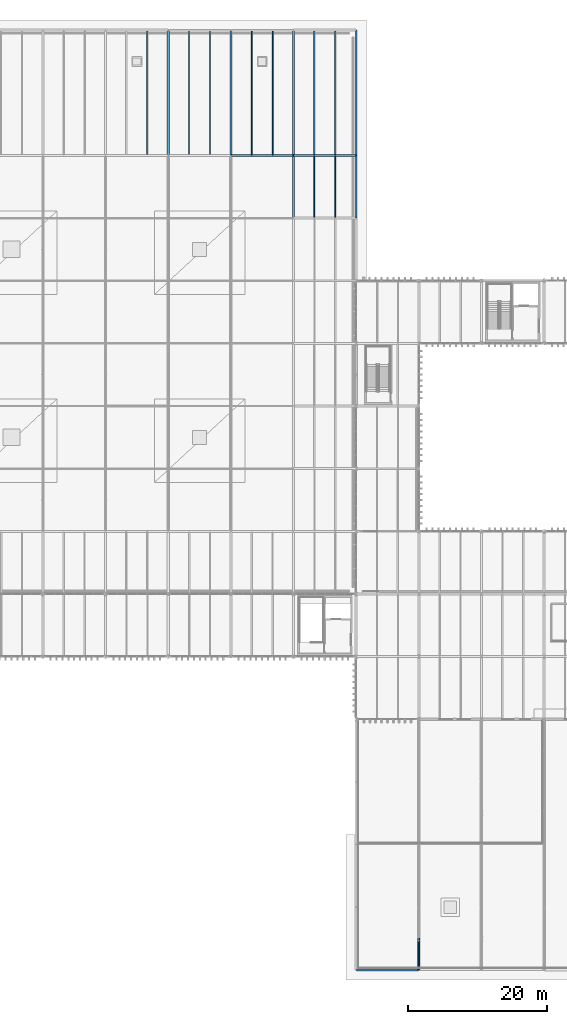
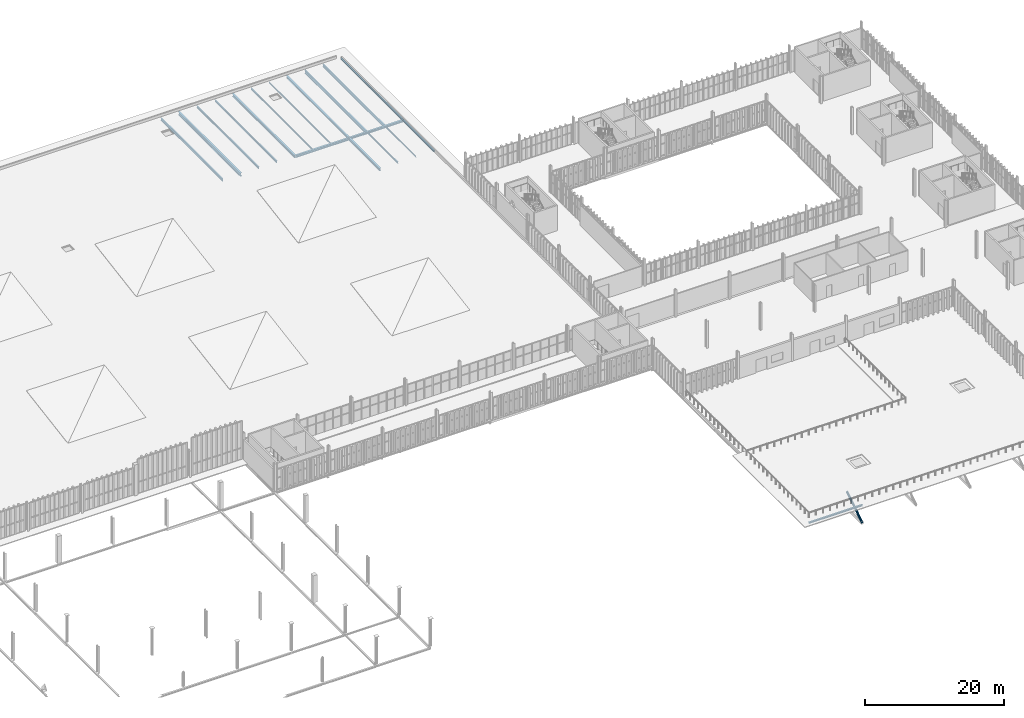
# One storey, part 99 of 196: 18 beams, 1 member.
"""IFC4 building model written with IfcOpenShell, lengths in metres."""

import ifcopenshell
import ifcopenshell.guid

model = None  # the IFC model being written
_history = None  # IfcOwnerHistory: only IFC2X3 demands one
_inside = {}  # id of a spatial element -> (the spatial element, [elements in it])
_under = {}  # id of a project, library or spatial element -> (it, [spatial elements below it])
_declared = {}  # id of a project -> (the project, [libraries it declares])
_typed = {}  # id of a type object -> (the type object, [elements of that type])
_made_of = {}  # id of a material, layer set ... -> (it, [elements and type objects made of it])


def new_model(schema):
    """Start an empty IFC model of exactly this schema.

    Asked for "IFC4X3", IfcOpenShell would pick the latest addendum, in which some entities
    have other attributes; the version numbers below select the first issue.
    IFC2X3 requires an IfcOwnerHistory on every rooted entity: one is made here for all.
    """
    global model, _history
    if schema == "IFC4X3":
        model = ifcopenshell.file(schema_version=(4, 3, 0, 0))
    else:
        model = ifcopenshell.file(schema=schema)
    _inside.clear()
    _under.clear()
    _declared.clear()
    _typed.clear()
    _made_of.clear()
    _history = None
    if model.schema == "IFC2X3":
        org = make("IfcOrganization", Name="unknown")
        user = make(
            "IfcPersonAndOrganization",
            ThePerson=make("IfcPerson", FamilyName="unknown"),
            TheOrganization=org,
        )
        app = make(
            "IfcApplication",
            ApplicationDeveloper=org,
            Version="unknown",
            ApplicationFullName="unknown",
            ApplicationIdentifier="unknown",
        )
        _history = make(
            "IfcOwnerHistory",
            OwningUser=user,
            OwningApplication=app,
            ChangeAction="ADDED",
            CreationDate=0,
        )
    return model


def make(cls, **values):
    """One entity of the class cls with the attributes given. An attribute that is None is left unset."""
    return model.create_entity(
        cls, **{name: value for name, value in values.items() if value is not None}
    )


def rooted(cls, **values):
    """An entity with a GlobalId (a new one), such as an element, a storey or a relation."""
    return make(cls, GlobalId=ifcopenshell.guid.new(), OwnerHistory=_history, **values)


def si_unit(unit_type, name, prefix=None):
    """IfcSIUnit, for example si_unit("LENGTHUNIT", "METRE", prefix="MILLI")."""
    return make("IfcSIUnit", UnitType=unit_type, Prefix=prefix, Name=name)


def assignment(units):
    """IfcUnitAssignment: the units of a project."""
    return None if units is None else make("IfcUnitAssignment", Units=units)


def point(xyz):
    """IfcCartesianPoint."""
    return None if xyz is None else make("IfcCartesianPoint", Coordinates=xyz)


def direction(xyz):
    """IfcDirection."""
    return None if xyz is None else make("IfcDirection", DirectionRatios=xyz)


def frame(location, z_axis=None, x_axis=None):
    """IfcAxis2Placement3D, a coordinate frame: its origin and axes. An axis left out is left unset."""
    return make(
        "IfcAxis2Placement3D",
        Location=point(location),
        Axis=direction(z_axis),
        RefDirection=direction(x_axis),
    )


def frame_2d(location, x_axis=None):
    """IfcAxis2Placement2D, a coordinate frame in the plane: its origin and x axis."""
    return make(
        "IfcAxis2Placement2D", Location=point(location), RefDirection=direction(x_axis)
    )


def origin():
    """The frame at (0, 0, 0) with its axes left unset."""
    return frame((0.0, 0.0, 0.0))


def origin_2d():
    """The frame at (0, 0) in the plane with its x axis left unset."""
    return frame_2d((0.0, 0.0))


def place(relative_to, where):
    """IfcLocalPlacement: puts the frame where relative to a parent placement (None: the world)."""
    return make(
        "IfcLocalPlacement", PlacementRelTo=relative_to, RelativePlacement=where
    )


def context(
    kind, dimensions, precision=None, world=None, true_north=None, identifier=None
):
    """IfcGeometricRepresentationContext, for example the 3D "Model" context."""
    return make(
        "IfcGeometricRepresentationContext",
        ContextIdentifier=identifier,
        ContextType=kind,
        CoordinateSpaceDimension=dimensions,
        Precision=precision,
        WorldCoordinateSystem=world,
        TrueNorth=true_north,
    )


def subcontext(parent, identifier, kind, view, scale=None):
    """IfcGeometricRepresentationSubContext, for example "Body" below "Model"."""
    return make(
        "IfcGeometricRepresentationSubContext",
        ContextIdentifier=identifier,
        ContextType=kind,
        ParentContext=parent,
        TargetScale=scale,
        TargetView=view,
    )


def project(units=None, contexts=None):
    """IfcProject with its units and contexts."""
    return rooted(
        "IfcProject",
        Name="project",
        RepresentationContexts=contexts,
        UnitsInContext=assignment(units),
    )


def spatial(cls, under=None, at=None, **own):
    """A site, building, storey or space (cls), placed at a placement, below another one or the project."""
    s = rooted(cls, ObjectPlacement=at, **own)
    if under is not None:
        _under.setdefault(under.id(), (under, []))[1].append(s)
    return s


def profile(cls, at=None, kind="AREA", **sizes):
    """A parametric profile (cls). Its sizes go by their IFC names, for example OverallWidth=200.0."""
    return make(cls, ProfileType=kind, Position=at, **sizes)


def hollow_circle(**sizes):
    """IfcCircleHollowProfileDef."""
    return profile("IfcCircleHollowProfileDef", **sizes)


def i_section(**sizes):
    """IfcIShapeProfileDef."""
    return profile("IfcIShapeProfileDef", **sizes)


def extrude(swept, where, along, depth):
    """IfcExtrudedAreaSolid: the profile swept, set in the frame where, extruded along a direction by depth."""
    return make(
        "IfcExtrudedAreaSolid",
        SweptArea=swept,
        Position=where,
        ExtrudedDirection=direction(along),
        Depth=depth,
    )


def shape(context_of_items, identifier, shape_type, items):
    """IfcShapeRepresentation: the items that make up one representation, for example the "Body"."""
    return make(
        "IfcShapeRepresentation",
        ContextOfItems=context_of_items,
        RepresentationIdentifier=identifier,
        RepresentationType=shape_type,
        Items=items,
    )


def material(Name=None, Category=None):
    """IfcMaterial."""
    return make("IfcMaterial", Name=Name, Category=Category)


def material_profile(
    of_material, cross_section, Name=None, Category=None, Priority=None
):
    """IfcMaterialProfile: a cross section and its material."""
    return make(
        "IfcMaterialProfile",
        Name=Name,
        Material=of_material,
        Profile=cross_section,
        Priority=Priority,
        Category=Category,
    )


def profile_set(profiles, Name=None, composite=None):
    """IfcMaterialProfileSet."""
    return make(
        "IfcMaterialProfileSet",
        Name=Name,
        MaterialProfiles=profiles,
        CompositeProfile=composite,
    )


def made_of(thing, what):
    """Note that an element or type object is made of a material, layer set ...; save() writes the relation."""
    if what is not None:
        _made_of.setdefault(what.id(), (what, []))[1].append(thing)
    return thing


def type_object(cls, material=None, **own):
    """A type object (cls), such as IfcWallType, which elements share."""
    return made_of(rooted(cls, **own), material)


def element(
    cls,
    number,
    at=None,
    inside=None,
    cuts=None,
    type_object=None,
    material=None,
    context=None,
    identifier="Body",
    shape_type=None,
    held_by="IfcProductDefinitionShape",
    body=None,
    shapes=None,
    **own,
):
    """One element of the class cls, such as IfcWall. Its Tag is "e" and its number.

    at: its placement. inside: the storey or other place that contains it. cuts: it is an
    opening in that element (IfcRelVoidsElement). A single representation is given by context,
    identifier, shape_type and body (its items); several are given by shapes. held_by: the class
    of the entity that holds the representations. save() writes the other relations.
    """
    e = rooted(cls, Tag="e%d" % number, ObjectPlacement=at, **own)
    if body is not None:
        shapes = [shape(context, identifier, shape_type, body)]
    if shapes is not None:
        e.Representation = make(held_by, Representations=shapes)
    if inside is not None:
        _inside.setdefault(inside.id(), (inside, []))[1].append(e)
    if cuts is not None:
        rooted(
            "IfcRelVoidsElement", RelatingBuildingElement=cuts, RelatedOpeningElement=e
        )
    if type_object is not None:
        _typed.setdefault(type_object.id(), (type_object, []))[1].append(e)
    return made_of(e, material)


def aggregate(whole, parts):
    """IfcRelAggregates: a whole, such as a stair, and the parts it consists of."""
    return rooted("IfcRelAggregates", RelatingObject=whole, RelatedObjects=parts)


def save(model, path):
    """Write the relations noted so far, then the file.

    IfcRelAggregates (storeys below a building ...), IfcRelContainedInSpatialStructure (elements
    in a storey), IfcRelDefinesByType, IfcRelAssociatesMaterial and IfcRelDeclares: one each for
    every whole, place, type object, material and project.
    """
    for whole, parts in _under.values():
        aggregate(whole, parts)
    for where, things in _inside.values():
        rooted(
            "IfcRelContainedInSpatialStructure",
            RelatedElements=things,
            RelatingStructure=where,
        )
    for kind, things in _typed.values():
        rooted("IfcRelDefinesByType", RelatedObjects=things, RelatingType=kind)
    for what, things in _made_of.values():
        rooted("IfcRelAssociatesMaterial", RelatedObjects=things, RelatingMaterial=what)
    for by, libraries in _declared.values():
        rooted("IfcRelDeclares", RelatingContext=by, RelatedDefinitions=libraries)
    model.write(path)


model = new_model("IFC4")

# Units and contexts
model_context = context("Model", 3, precision=1e-05, world=origin(), true_north=direction((0.0, 1.0)))
body_context = subcontext(model_context, "Body", "Model", "MODEL_VIEW")
ifc_project = project(units=[si_unit("LENGTHUNIT", "METRE"), si_unit("AREAUNIT", "SQUARE_METRE"), si_unit("VOLUMEUNIT", "CUBIC_METRE"), si_unit("PLANEANGLEUNIT", "RADIAN"), si_unit("MASSUNIT", "GRAM", prefix="KILO")], contexts=[model_context])

# Site, building, storey
site_placement = place(None, origin())
site = spatial("IfcSite", under=ifc_project, at=site_placement, CompositionType="ELEMENT")
building_placement = place(site_placement, origin())
building = spatial("IfcBuilding", under=site, at=building_placement, Name="Barlavento Convention Centre", CompositionType="ELEMENT")
storey_placement = place(building_placement, frame((0.0, 0.0, 18.0)))
storey = spatial("IfcBuildingStorey", under=building, at=storey_placement, Name="L03", CompositionType="ELEMENT", Elevation=18.0)

# Beams
ifc_material = material(Name="Steel S355", Category="steel")
ifc_material_profile_1 = material_profile(ifc_material, i_section(OverallWidth=0.1201171875, OverallDepth=0.239990234375, WebThickness=0.006103515625, FlangeThickness=0.009765625, FilletRadius=0.014892578125, at=origin_2d()), Name="IPE 240")
ifc_profile_set_1 = profile_set([ifc_material_profile_1], Name="Steel S355")
beam_type_1 = type_object("IfcBeamType", Name="STR-BM-JST-IPE240", PredefinedType="JOIST", material=ifc_profile_set_1)
beam_1_placement = place(storey_placement, frame((123.0, 108.094970703125, -0.465087890625), z_axis=(0.0, 1.0, 0.0), x_axis=(-1.0, 0.0, 0.0)))
element("IfcBeam", 1, at=beam_1_placement, inside=storey, type_object=beam_type_1, Name="L03 composite floor joist SJ09", PredefinedType="JOIST", context=body_context, shape_type="SweptSolid", body=[
    extrude(i_section(OverallWidth=0.1201171875, OverallDepth=0.239990234375, WebThickness=0.006103515625, FlangeThickness=0.009765625, FilletRadius=0.014892578125, at=origin_2d()), origin(), (0.0, 0.0, 1.0), 8.81005859375),
])
beam_2_placement = place(storey_placement, frame((114.0, 117.094970703125, -0.465087890625), z_axis=(0.0, 1.0, 0.0), x_axis=(-1.0, 0.0, 0.0)))
element("IfcBeam", 2, at=beam_2_placement, inside=storey, type_object=beam_type_1, Name="L03 composite floor joist SJ09", PredefinedType="JOIST", context=body_context, shape_type="SweptSolid", body=[
    extrude(i_section(OverallWidth=0.1201171875, OverallDepth=0.239990234375, WebThickness=0.006103515625, FlangeThickness=0.009765625, FilletRadius=0.014892578125, at=origin_2d()), origin(), (0.0, 0.0, 1.0), 17.81005859375),
])
ifc_material_profile_2 = material_profile(ifc_material, i_section(OverallWidth=0.135009765625, OverallDepth=0.27001953125, WebThickness=0.006591796875, FlangeThickness=0.01025390625, FilletRadius=0.014892578125, at=origin_2d()), Name="IPE 270")
ifc_profile_set_2 = profile_set([ifc_material_profile_2], Name="Steel S355")
beam_type_2 = type_object("IfcBeamType", Name="STR-BM-JST-IPE270", PredefinedType="JOIST", material=ifc_profile_set_2)
beam_3_placement = place(storey_placement, frame((120.0, 108.094970703125, -0.47998046875), z_axis=(0.0, 1.0, 0.0), x_axis=(-1.0, 0.0, 0.0)))
element("IfcBeam", 3, at=beam_3_placement, inside=storey, type_object=beam_type_2, Name="L03 composite floor joist SJ08", PredefinedType="JOIST", context=body_context, shape_type="SweptSolid", body=[
    extrude(i_section(OverallWidth=0.135009765625, OverallDepth=0.27001953125, WebThickness=0.006591796875, FlangeThickness=0.01025390625, FilletRadius=0.014892578125, at=origin_2d()), origin(), (0.0, 0.0, 1.0), 8.81005859375),
])
beam_4_placement = place(storey_placement, frame((111.0, 117.094970703125, -0.47998046875), z_axis=(0.0, 1.0, 0.0), x_axis=(-1.0, 0.0, 0.0)))
element("IfcBeam", 4, at=beam_4_placement, inside=storey, type_object=beam_type_2, Name="L03 composite floor joist SJ08", PredefinedType="JOIST", context=body_context, shape_type="SweptSolid", body=[
    extrude(i_section(OverallWidth=0.135009765625, OverallDepth=0.27001953125, WebThickness=0.006591796875, FlangeThickness=0.01025390625, FilletRadius=0.014892578125, at=origin_2d()), origin(), (0.0, 0.0, 1.0), 17.81005859375),
])
ifc_material_profile_3 = material_profile(ifc_material, i_section(OverallWidth=0.159912109375, OverallDepth=0.330078125, WebThickness=0.007568359375, FlangeThickness=0.011474609375, FilletRadius=0.01806640625, at=origin_2d()), Name="IPE 330")
ifc_profile_set_3 = profile_set([ifc_material_profile_3], Name="Steel S355")
beam_type_3 = type_object("IfcBeamType", Name="STR-BM-JST-IPE330", PredefinedType="JOIST", material=ifc_profile_set_3)
beam_5_placement = place(storey_placement, frame((105.0, 117.094970703125, -0.510009765625), z_axis=(0.0, 1.0, 0.0), x_axis=(-1.0, 0.0, 0.0)))
element("IfcBeam", 5, at=beam_5_placement, inside=storey, type_object=beam_type_3, Name="L03 composite floor joist SJ06", PredefinedType="JOIST", context=body_context, shape_type="SweptSolid", body=[
    extrude(i_section(OverallWidth=0.159912109375, OverallDepth=0.330078125, WebThickness=0.007568359375, FlangeThickness=0.011474609375, FilletRadius=0.01806640625, at=origin_2d()), origin(), (0.0, 0.0, 1.0), 17.81005859375),
])
ifc_material_profile_4 = material_profile(ifc_material, i_section(OverallWidth=0.169921875, OverallDepth=0.360107421875, WebThickness=0.008056640625, FlangeThickness=0.0126953125, FilletRadius=0.01806640625, at=origin_2d()), Name="IPE 360")
ifc_profile_set_4 = profile_set([ifc_material_profile_4], Name="Steel S355")
beam_type_4 = type_object("IfcBeamType", Name="STR-BM-JST-IPE360", PredefinedType="JOIST", material=ifc_profile_set_4)
beam_6_placement = place(storey_placement, frame((102.0, 117.094970703125, -0.52490234375), z_axis=(0.0, 1.0, 0.0), x_axis=(-1.0, 0.0, 0.0)))
element("IfcBeam", 6, at=beam_6_placement, inside=storey, type_object=beam_type_4, Name="L03 composite floor joist SJ05", PredefinedType="JOIST", context=body_context, shape_type="SweptSolid", body=[
    extrude(i_section(OverallWidth=0.169921875, OverallDepth=0.360107421875, WebThickness=0.008056640625, FlangeThickness=0.0126953125, FilletRadius=0.01806640625, at=origin_2d()), origin(), (0.0, 0.0, 1.0), 17.81005859375),
])
ifc_material_profile_5 = material_profile(ifc_material, i_section(OverallWidth=0.18994140625, OverallDepth=0.449951171875, WebThickness=0.009521484375, FlangeThickness=0.0146484375, FilletRadius=0.02099609375, at=origin_2d()), Name="IPE 450")
ifc_profile_set_5 = profile_set([ifc_material_profile_5], Name="Steel S355")
beam_type_5 = type_object("IfcBeamType", Name="STR-BM-JST-IPE450", PredefinedType="JOIST", material=ifc_profile_set_5)
beam_7_placement = place(storey_placement, frame((96.0, 117.094970703125, -0.570068359375), z_axis=(0.0, 1.0, 0.0), x_axis=(-1.0, 0.0, 0.0)))
element("IfcBeam", 7, at=beam_7_placement, inside=storey, type_object=beam_type_5, Name="L03 composite floor joist SJ03", PredefinedType="JOIST", context=body_context, shape_type="SweptSolid", body=[
    extrude(i_section(OverallWidth=0.18994140625, OverallDepth=0.449951171875, WebThickness=0.009521484375, FlangeThickness=0.0146484375, FilletRadius=0.02099609375, at=origin_2d()), origin(), (0.0, 0.0, 1.0), 17.81005859375),
])
ifc_material_profile_6 = material_profile(ifc_material, i_section(OverallWidth=0.199951171875, OverallDepth=0.5, WebThickness=0.01025390625, FlangeThickness=0.01611328125, FilletRadius=0.02099609375, at=origin_2d()), Name="IPE 500")
ifc_profile_set_6 = profile_set([ifc_material_profile_6], Name="Steel S355")
beam_type_6 = type_object("IfcBeamType", Name="STR-BM-JST-IPE500", PredefinedType="JOIST", material=ifc_profile_set_6)
beam_8_placement = place(storey_placement, frame((123.0, 117.094970703125, -0.594970703125), z_axis=(0.0, 1.0, 0.0), x_axis=(-1.0, 0.0, 0.0)))
element("IfcBeam", 8, at=beam_8_placement, inside=storey, type_object=beam_type_6, Name="L03 composite floor joist SJ02", PredefinedType="JOIST", context=body_context, shape_type="SweptSolid", body=[
    extrude(i_section(OverallWidth=0.199951171875, OverallDepth=0.5, WebThickness=0.01025390625, FlangeThickness=0.01611328125, FilletRadius=0.02099609375, at=origin_2d()), origin(), (0.0, 0.0, 1.0), 17.81005859375),
])
ifc_material_profile_7 = material_profile(ifc_material, i_section(OverallWidth=0.2099609375, OverallDepth=0.550048828125, WebThickness=0.010986328125, FlangeThickness=0.01708984375, FilletRadius=0.02392578125, at=origin_2d()), Name="IPE 550")
ifc_profile_set_7 = profile_set([ifc_material_profile_7], Name="Steel S355")
beam_type_7 = type_object("IfcBeamType", Name="STR-BM-JST-IPE550", PredefinedType="JOIST", material=ifc_profile_set_7)
beam_9_placement = place(storey_placement, frame((120.0, 117.094970703125, -0.6201171875), z_axis=(0.0, 1.0, 0.0), x_axis=(-1.0, 0.0, 0.0)))
element("IfcBeam", 9, at=beam_9_placement, inside=storey, type_object=beam_type_7, Name="L03 composite floor joist SJ01", PredefinedType="JOIST", context=body_context, shape_type="SweptSolid", body=[
    extrude(i_section(OverallWidth=0.2099609375, OverallDepth=0.550048828125, WebThickness=0.010986328125, FlangeThickness=0.01708984375, FilletRadius=0.02392578125, at=origin_2d()), origin(), (0.0, 0.0, 1.0), 17.81005859375),
])
ifc_material_profile_8 = material_profile(ifc_material, i_section(OverallWidth=0.300048828125, OverallDepth=0.330078125, WebThickness=0.009521484375, FlangeThickness=0.0166015625, FilletRadius=0.027099609375, at=origin_2d()), Name="HEA 340")
ifc_profile_set_8 = profile_set([ifc_material_profile_8], Name="Steel S355")
beam_type_8 = type_object("IfcBeamType", Name="STR-BM-PRI-HEA340", PredefinedType="BEAM", material=ifc_profile_set_8)
beam_10_placement = place(storey_placement, frame((117.0, 117.02001953125, -0.510009765625), z_axis=(0.0, 1.0, 0.0), x_axis=(-1.0, 0.0, 0.0)))
element("IfcBeam", 10, at=beam_10_placement, inside=storey, type_object=beam_type_8, Name="L03 grid girder BG24", PredefinedType="BEAM", context=body_context, shape_type="SweptSolid", body=[
    extrude(i_section(OverallWidth=0.300048828125, OverallDepth=0.330078125, WebThickness=0.009521484375, FlangeThickness=0.0166015625, FilletRadius=0.027099609375, at=origin_2d()), origin(), (0.0, 0.0, 1.0), 17.9599609375),
])
ifc_material_profile_9 = material_profile(ifc_material, i_section(OverallWidth=0.300048828125, OverallDepth=0.43994140625, WebThickness=0.011474609375, FlangeThickness=0.02099609375, FilletRadius=0.027099609375, at=origin_2d()), Name="HEA 450")
ifc_profile_set_9 = profile_set([ifc_material_profile_9], Name="Steel S355")
beam_type_9 = type_object("IfcBeamType", Name="STR-BM-PRI-HEA450", PredefinedType="BEAM", material=ifc_profile_set_9)
beam_11_placement = place(storey_placement, frame((117.0, 108.02001953125, -0.56494140625), z_axis=(0.0, 1.0, 0.0), x_axis=(-1.0, 0.0, 0.0)))
element("IfcBeam", 11, at=beam_11_placement, inside=storey, type_object=beam_type_9, Name="L03 grid girder BG21", PredefinedType="BEAM", context=body_context, shape_type="SweptSolid", body=[
    extrude(i_section(OverallWidth=0.300048828125, OverallDepth=0.43994140625, WebThickness=0.011474609375, FlangeThickness=0.02099609375, FilletRadius=0.027099609375, at=origin_2d()), origin(), (0.0, 0.0, 1.0), 8.9599609375),
])
beam_12_placement = place(storey_placement, frame((108.0, 117.02001953125, -0.56494140625), z_axis=(0.0, 1.0, 0.0), x_axis=(-1.0, 0.0, 0.0)))
element("IfcBeam", 12, at=beam_12_placement, inside=storey, type_object=beam_type_9, Name="L03 grid girder BG21", PredefinedType="BEAM", context=body_context, shape_type="SweptSolid", body=[
    extrude(i_section(OverallWidth=0.300048828125, OverallDepth=0.43994140625, WebThickness=0.011474609375, FlangeThickness=0.02099609375, FilletRadius=0.027099609375, at=origin_2d()), origin(), (0.0, 0.0, 1.0), 17.9599609375),
])
ifc_material_profile_10 = material_profile(ifc_material, i_section(OverallWidth=0.300048828125, OverallDepth=0.590087890625, WebThickness=0.012939453125, FlangeThickness=0.02490234375, FilletRadius=0.027099609375, at=origin_2d()), Name="HEA 600")
ifc_profile_set_10 = profile_set([ifc_material_profile_10], Name="Steel S355")
beam_type_10 = type_object("IfcBeamType", Name="STR-BM-PRI-HEA600", PredefinedType="BEAM", material=ifc_profile_set_10)
beam_13_placement = place(storey_placement, frame((99.0, 117.02001953125, -0.639892578125), z_axis=(0.0, 1.0, 0.0), x_axis=(-1.0, 0.0, 0.0)))
element("IfcBeam", 13, at=beam_13_placement, inside=storey, type_object=beam_type_10, Name="L03 grid girder BG18", PredefinedType="BEAM", context=body_context, shape_type="SweptSolid", body=[
    extrude(i_section(OverallWidth=0.300048828125, OverallDepth=0.590087890625, WebThickness=0.012939453125, FlangeThickness=0.02490234375, FilletRadius=0.027099609375, at=origin_2d()), origin(), (0.0, 0.0, 1.0), 17.9599609375),
])
ifc_material_profile_11 = material_profile(ifc_material, i_section(OverallWidth=0.300048828125, OverallDepth=0.360107421875, WebThickness=0.012451171875, FlangeThickness=0.0224609375, FilletRadius=0.027099609375, at=origin_2d()), Name="HEB 360")
ifc_profile_set_11 = profile_set([ifc_material_profile_11], Name="Steel S355")
beam_type_11 = type_object("IfcBeamType", Name="STR-BM-PRI-HEB360", PredefinedType="BEAM", material=ifc_profile_set_11)
beam_14_placement = place(storey_placement, frame((117.02001953125, 117.0, -0.52490234375), z_axis=(1.0, 0.0, 0.0), x_axis=(0.0, 1.0, 0.0)))
element("IfcBeam", 14, at=beam_14_placement, inside=storey, type_object=beam_type_11, Name="L03 primary girder BG12", PredefinedType="BEAM", context=body_context, shape_type="SweptSolid", body=[
    extrude(i_section(OverallWidth=0.300048828125, OverallDepth=0.360107421875, WebThickness=0.012451171875, FlangeThickness=0.0224609375, FilletRadius=0.027099609375, at=origin_2d()), origin(), (0.0, 0.0, 1.0), 8.9599609375),
])
ifc_material_profile_12 = material_profile(ifc_material, i_section(OverallWidth=0.300048828125, OverallDepth=0.39990234375, WebThickness=0.013427734375, FlangeThickness=0.02392578125, FilletRadius=0.027099609375, at=origin_2d()), Name="HEB 400")
ifc_profile_set_12 = profile_set([ifc_material_profile_12], Name="Steel S355")
beam_type_12 = type_object("IfcBeamType", Name="STR-BM-PRI-HEB400", PredefinedType="BEAM", material=ifc_profile_set_12)
beam_15_placement = place(storey_placement, frame((108.02001953125, 117.0, -0.544921875), z_axis=(1.0, 0.0, 0.0), x_axis=(0.0, 1.0, 0.0)))
element("IfcBeam", 15, at=beam_15_placement, inside=storey, type_object=beam_type_12, Name="L03 primary girder BG11", PredefinedType="BEAM", context=body_context, shape_type="SweptSolid", body=[
    extrude(i_section(OverallWidth=0.300048828125, OverallDepth=0.39990234375, WebThickness=0.013427734375, FlangeThickness=0.02392578125, FilletRadius=0.027099609375, at=origin_2d()), origin(), (0.0, 0.0, 1.0), 8.9599609375),
])
ifc_material_profile_13 = material_profile(ifc_material, i_section(OverallWidth=0.239990234375, OverallDepth=0.22998046875, WebThickness=0.007568359375, FlangeThickness=0.011962890625, FilletRadius=0.02099609375, at=origin_2d()), Name="HEA 240")
ifc_profile_set_13 = profile_set([ifc_material_profile_13], Name="Steel S355")
beam_type_13 = type_object("IfcBeamType", Name="STR-BM-SPN-HEA240", PredefinedType="SPANDREL", material=ifc_profile_set_13)
beam_16_placement = place(storey_placement, frame((126.0, 117.02001953125, -0.4599609375), z_axis=(0.0, 1.0, 0.0), x_axis=(-1.0, 0.0, 0.0)))
element("IfcBeam", 16, at=beam_16_placement, inside=storey, type_object=beam_type_13, Name="L03 grid girder SP05", PredefinedType="SPANDREL", context=body_context, shape_type="SweptSolid", body=[
    extrude(i_section(OverallWidth=0.239990234375, OverallDepth=0.22998046875, WebThickness=0.007568359375, FlangeThickness=0.011962890625, FilletRadius=0.02099609375, at=origin_2d()), origin(), (0.0, 0.0, 1.0), 17.9599609375),
])
ifc_material_profile_14 = material_profile(ifc_material, i_section(OverallWidth=0.260009765625, OverallDepth=0.25, WebThickness=0.007568359375, FlangeThickness=0.012451171875, FilletRadius=0.02392578125, at=origin_2d()), Name="HEA 260")
ifc_profile_set_14 = profile_set([ifc_material_profile_14], Name="Steel S355")
beam_type_14 = type_object("IfcBeamType", Name="STR-BM-SPN-HEA260", PredefinedType="SPANDREL", material=ifc_profile_set_14)
for number, where, z_axis, x_axis, name in (
    (17, (126.02001953125, 0.0, -0.469970703125), (1.0, 0.0, 0.0), (0.0, 1.0, 0.0), "L03 primary girder SP04"),
    (18, (126.0, 108.02001953125, -0.469970703125), (0.0, 1.0, 0.0), (-1.0, 0.0, 0.0), "L03 grid girder SP04"),
):
    element("IfcBeam", number, at=place(storey_placement, frame(where, z_axis=z_axis, x_axis=x_axis)), inside=storey, type_object=beam_type_14, Name=name, PredefinedType="SPANDREL", context=body_context, shape_type="SweptSolid", body=[
        extrude(i_section(OverallWidth=0.260009765625, OverallDepth=0.25, WebThickness=0.007568359375, FlangeThickness=0.012451171875, FilletRadius=0.02392578125, at=origin_2d()), origin(), (0.0, 0.0, 1.0), 8.9599609375),
    ])

# Member
ifc_material_profile_15 = material_profile(ifc_material, hollow_circle(Radius=0.177734375, WallThickness=0.01611328125, at=origin_2d()), Name="CHS 355.6x16.0")
ifc_profile_set_15 = profile_set([ifc_material_profile_15], Name="Steel S355")
member_type = type_object("IfcMemberType", Name="STR-MEM-CHD-CHS355", PredefinedType="CHORD", material=ifc_profile_set_15)
member_placement = place(storey_placement, frame((135.0, 0.050048828125, -3.64990234375), z_axis=(0.0, 0.841857615744, 0.53969968947), x_axis=(-1.0, 0.0, 0.0)))
element("IfcMember", 19, at=member_placement, inside=storey, type_object=member_type, Name="Ballroom transfer truss diagonal TC01", PredefinedType="CHORD", context=body_context, shape_type="SweptSolid", body=[
    extrude(hollow_circle(Radius=0.177734375, WallThickness=0.01611328125, at=origin_2d()), origin(), (0.0, 0.0, 1.0), 5.285888671875),
])

save(model, "model.ifc")
